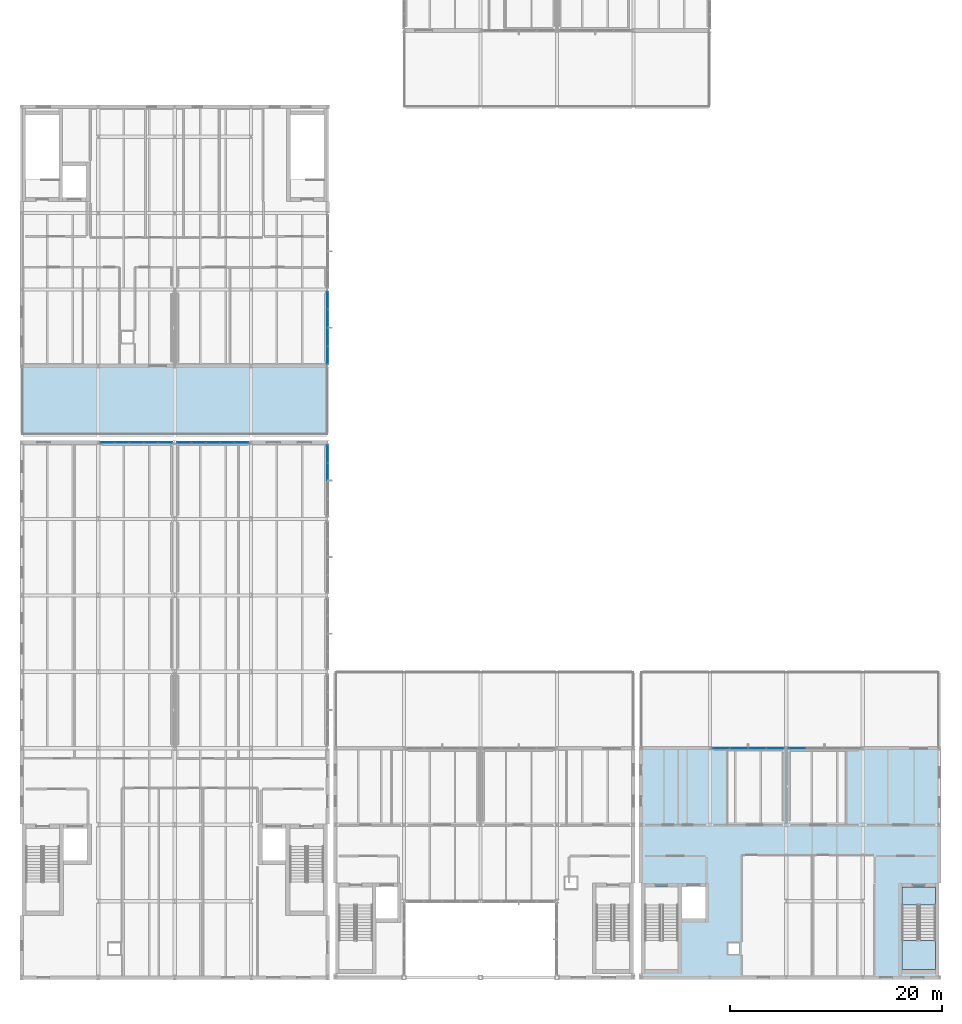
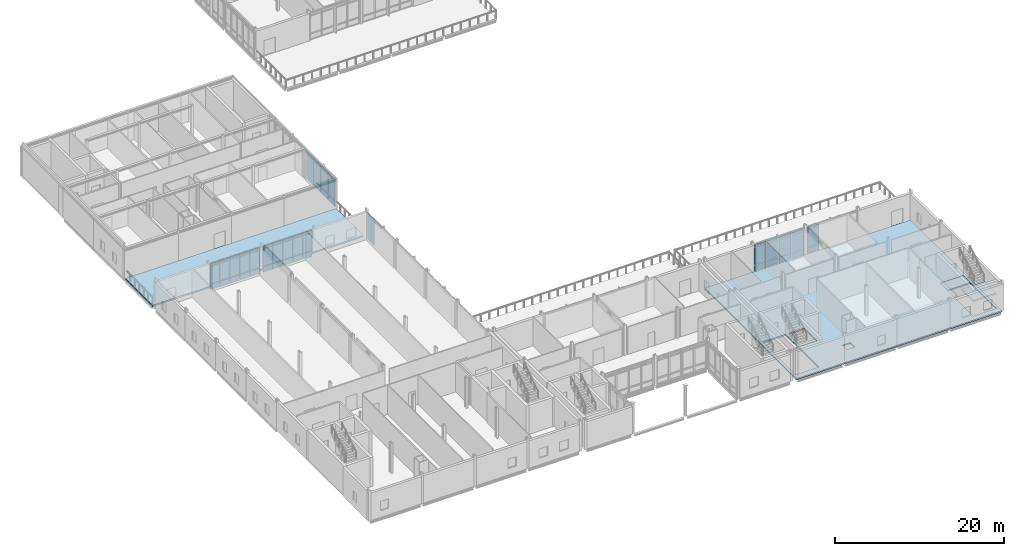
# One storey, part 25 of 53: 61 plates, 4 slabs, 7 elements without a shape of their own.
"""IFC4 building model written with IfcOpenShell, lengths in metres."""

from ifc_helpers import new_model, si_unit, direction, frame, origin, origin_2d, place, context, subcontext, project, spatial, polyline, rectangle, outline, extrude, material, layer, layer_set, type_object, element, aggregate, save


model = new_model("IFC4")

# Units and contexts
model_context = context("Model", 3, precision=1e-05, world=origin(), true_north=direction((0.0, 1.0)))
body_context = subcontext(model_context, "Body", "Model", "MODEL_VIEW")
ifc_project = project(units=[si_unit("LENGTHUNIT", "METRE"), si_unit("AREAUNIT", "SQUARE_METRE"), si_unit("VOLUMEUNIT", "CUBIC_METRE"), si_unit("PLANEANGLEUNIT", "RADIAN"), si_unit("MASSUNIT", "GRAM", prefix="KILO")], contexts=[model_context])

# Site, building, storey
site_placement = place(None, origin())
site = spatial("IfcSite", under=ifc_project, at=site_placement, CompositionType="ELEMENT")
building_placement = place(site_placement, origin())
building = spatial("IfcBuilding", under=site, at=building_placement, Name="Zarrinpeak Specialist Clinic", CompositionType="ELEMENT")
storey_placement = place(building_placement, frame((0.0, 0.0, 14.0)))
storey = spatial("IfcBuildingStorey", under=building, at=storey_placement, Name="L03", CompositionType="ELEMENT", Elevation=14.0)

# Curtain wall, plates
ifc_material_1 = material(Name="Anodised Aluminium Alloy 6063-T6", Category="aluminium")
ifc_layer_1 = layer(ifc_material_1, 0.1650390625)
ifc_layer_set_1 = layer_set([ifc_layer_1], Name="Anodised Aluminium Alloy 6063-T6")
curtain_wall_type_1 = type_object("IfcCurtainWallType", Name="CW-CLINIC", PredefinedType="NOTDEFINED", material=ifc_layer_set_1)
curtain_wall_1_placement = place(storey_placement, origin())
curtain_wall_1 = element("IfcCurtainWall", 1, at=curtain_wall_1_placement, inside=storey, type_object=curtain_wall_type_1, Name="L03 V1 Unitised Curtain Wall CW-L03-V1-019", PredefinedType="NOTDEFINED")
ifc_material_2 = material(Name="Double Low-E Insulated Glazing", Category="glass")
ifc_layer_2 = layer(ifc_material_2, 0.028076171875)
ifc_layer_set_2 = layer_set([ifc_layer_2], Name="Double Low-E Insulated Glazing")
plate_type_1 = type_object("IfcPlateType", Name="CWP-GLZ28", PredefinedType="CURTAIN_PANEL", material=ifc_layer_set_2)
plate_1_placement = place(storey_placement, frame((13.521240234375, 50.39990234375, 0.074951171875), z_axis=(0.0, 0.0, 1.0), x_axis=(-1.0, 0.0, 0.0)))
plate_1 = element("IfcPlate", 2, at=plate_1_placement, type_object=plate_type_1, Name="CW-03 panel 1.1", PredefinedType="CURTAIN_PANEL", context=body_context, shape_type="SweptSolid", body=[
    extrude(rectangle(XDim=1.257568359375, YDim=0.028076171875, at=origin_2d()), origin(), (0.0, 0.0, 1.0), 0.78759765625),
])
plate_2_placement = place(storey_placement, frame((13.521240234375, 50.39990234375, 0.9375), z_axis=(0.0, 0.0, 1.0), x_axis=(-1.0, 0.0, 0.0)))
plate_2 = element("IfcPlate", 3, at=plate_2_placement, type_object=plate_type_1, Name="CW-03 panel 1.2", PredefinedType="CURTAIN_PANEL", context=body_context, shape_type="SweptSolid", body=[
    extrude(rectangle(XDim=1.257568359375, YDim=0.028076171875, at=origin_2d()), origin(), (0.0, 0.0, 1.0), 2.510009765625),
])
plate_3_placement = place(storey_placement, frame((13.521240234375, 50.39990234375, 3.5224609375), z_axis=(0.0, 0.0, 1.0), x_axis=(-1.0, 0.0, 0.0)))
plate_3 = element("IfcPlate", 4, at=plate_3_placement, type_object=plate_type_1, Name="CW-03 panel 1.3", PredefinedType="CURTAIN_PANEL", context=body_context, shape_type="SweptSolid", body=[
    extrude(rectangle(XDim=1.257568359375, YDim=0.028076171875, at=origin_2d()), origin(), (0.0, 0.0, 1.0), 0.33740234375),
])
plate_4_placement = place(storey_placement, frame((12.169921875, 50.39990234375, 0.074951171875), z_axis=(0.0, 0.0, 1.0), x_axis=(-1.0, 0.0, 0.0)))
plate_4 = element("IfcPlate", 5, at=plate_4_placement, type_object=plate_type_1, Name="CW-03 panel 2.1", PredefinedType="CURTAIN_PANEL", context=body_context, shape_type="SweptSolid", body=[
    extrude(rectangle(XDim=1.294921875, YDim=0.028076171875, at=origin_2d()), origin(), (0.0, 0.0, 1.0), 0.78759765625),
])
plate_5_placement = place(storey_placement, frame((12.169921875, 50.39990234375, 0.9375), z_axis=(0.0, 0.0, 1.0), x_axis=(-1.0, 0.0, 0.0)))
plate_5 = element("IfcPlate", 6, at=plate_5_placement, type_object=plate_type_1, Name="CW-03 panel 2.2", PredefinedType="CURTAIN_PANEL", context=body_context, shape_type="SweptSolid", body=[
    extrude(rectangle(XDim=1.294921875, YDim=0.028076171875, at=origin_2d()), origin(), (0.0, 0.0, 1.0), 2.510009765625),
])
plate_6_placement = place(storey_placement, frame((12.169921875, 50.39990234375, 3.5224609375), z_axis=(0.0, 0.0, 1.0), x_axis=(-1.0, 0.0, 0.0)))
plate_6 = element("IfcPlate", 7, at=plate_6_placement, type_object=plate_type_1, Name="CW-03 panel 2.3", PredefinedType="CURTAIN_PANEL", context=body_context, shape_type="SweptSolid", body=[
    extrude(rectangle(XDim=1.294921875, YDim=0.028076171875, at=origin_2d()), origin(), (0.0, 0.0, 1.0), 0.33740234375),
])
plate_7_placement = place(storey_placement, frame((10.800048828125, 50.39990234375, 0.074951171875), z_axis=(0.0, 0.0, 1.0), x_axis=(-1.0, 0.0, 0.0)))
plate_7 = element("IfcPlate", 8, at=plate_7_placement, type_object=plate_type_1, Name="CW-03 panel 3.1", PredefinedType="CURTAIN_PANEL", context=body_context, shape_type="SweptSolid", body=[
    extrude(rectangle(XDim=1.294921875, YDim=0.028076171875, at=origin_2d()), origin(), (0.0, 0.0, 1.0), 0.78759765625),
])
plate_8_placement = place(storey_placement, frame((10.800048828125, 50.39990234375, 0.9375), z_axis=(0.0, 0.0, 1.0), x_axis=(-1.0, 0.0, 0.0)))
plate_8 = element("IfcPlate", 9, at=plate_8_placement, type_object=plate_type_1, Name="CW-03 panel 3.2", PredefinedType="CURTAIN_PANEL", context=body_context, shape_type="SweptSolid", body=[
    extrude(rectangle(XDim=1.294921875, YDim=0.028076171875, at=origin_2d()), origin(), (0.0, 0.0, 1.0), 2.510009765625),
])
plate_9_placement = place(storey_placement, frame((10.800048828125, 50.39990234375, 3.5224609375), z_axis=(0.0, 0.0, 1.0), x_axis=(-1.0, 0.0, 0.0)))
plate_9 = element("IfcPlate", 10, at=plate_9_placement, type_object=plate_type_1, Name="CW-03 panel 3.3", PredefinedType="CURTAIN_PANEL", context=body_context, shape_type="SweptSolid", body=[
    extrude(rectangle(XDim=1.294921875, YDim=0.028076171875, at=origin_2d()), origin(), (0.0, 0.0, 1.0), 0.33740234375),
])
plate_10_placement = place(storey_placement, frame((9.429931640625, 50.39990234375, 0.074951171875), z_axis=(0.0, 0.0, 1.0), x_axis=(-1.0, 0.0, 0.0)))
plate_10 = element("IfcPlate", 11, at=plate_10_placement, type_object=plate_type_1, Name="CW-03 panel 4.1", PredefinedType="CURTAIN_PANEL", context=body_context, shape_type="SweptSolid", body=[
    extrude(rectangle(XDim=1.294921875, YDim=0.028076171875, at=origin_2d()), origin(), (0.0, 0.0, 1.0), 0.78759765625),
])
plate_11_placement = place(storey_placement, frame((9.429931640625, 50.39990234375, 0.9375), z_axis=(0.0, 0.0, 1.0), x_axis=(-1.0, 0.0, 0.0)))
plate_11 = element("IfcPlate", 12, at=plate_11_placement, type_object=plate_type_1, Name="CW-03 panel 4.2", PredefinedType="CURTAIN_PANEL", context=body_context, shape_type="SweptSolid", body=[
    extrude(rectangle(XDim=1.294921875, YDim=0.028076171875, at=origin_2d()), origin(), (0.0, 0.0, 1.0), 2.510009765625),
])
plate_12_placement = place(storey_placement, frame((9.429931640625, 50.39990234375, 3.5224609375), z_axis=(0.0, 0.0, 1.0), x_axis=(-1.0, 0.0, 0.0)))
plate_12 = element("IfcPlate", 13, at=plate_12_placement, type_object=plate_type_1, Name="CW-03 panel 4.3", PredefinedType="CURTAIN_PANEL", context=body_context, shape_type="SweptSolid", body=[
    extrude(rectangle(XDim=1.294921875, YDim=0.028076171875, at=origin_2d()), origin(), (0.0, 0.0, 1.0), 0.33740234375),
])
plate_13_placement = place(storey_placement, frame((8.078857421875, 50.39990234375, 0.074951171875), z_axis=(0.0, 0.0, 1.0), x_axis=(-1.0, 0.0, 0.0)))
plate_13 = element("IfcPlate", 14, at=plate_13_placement, type_object=plate_type_1, Name="CW-03 panel 5.1", PredefinedType="CURTAIN_PANEL", context=body_context, shape_type="SweptSolid", body=[
    extrude(rectangle(XDim=1.257568359375, YDim=0.028076171875, at=origin_2d()), origin(), (0.0, 0.0, 1.0), 0.78759765625),
])
plate_14_placement = place(storey_placement, frame((8.078857421875, 50.39990234375, 0.9375), z_axis=(0.0, 0.0, 1.0), x_axis=(-1.0, 0.0, 0.0)))
plate_14 = element("IfcPlate", 15, at=plate_14_placement, type_object=plate_type_1, Name="CW-03 panel 5.2", PredefinedType="CURTAIN_PANEL", context=body_context, shape_type="SweptSolid", body=[
    extrude(rectangle(XDim=1.257568359375, YDim=0.028076171875, at=origin_2d()), origin(), (0.0, 0.0, 1.0), 2.510009765625),
])
plate_15_placement = place(storey_placement, frame((8.078857421875, 50.39990234375, 3.5224609375), z_axis=(0.0, 0.0, 1.0), x_axis=(-1.0, 0.0, 0.0)))
plate_15 = element("IfcPlate", 16, at=plate_15_placement, type_object=plate_type_1, Name="CW-03 panel 5.3", PredefinedType="CURTAIN_PANEL", context=body_context, shape_type="SweptSolid", body=[
    extrude(rectangle(XDim=1.257568359375, YDim=0.028076171875, at=origin_2d()), origin(), (0.0, 0.0, 1.0), 0.33740234375),
])
aggregate(curtain_wall_1, [plate_1, plate_2, plate_3, plate_4, plate_5, plate_6, plate_7, plate_8, plate_9, plate_10, plate_11, plate_12, plate_13, plate_14, plate_15])

curtain_wall_2_placement = place(storey_placement, origin())
curtain_wall_2 = element("IfcCurtainWall", 17, at=curtain_wall_2_placement, inside=storey, type_object=curtain_wall_type_1, Name="L03 V1 Unitised Curtain Wall CW-L03-V1-020", PredefinedType="NOTDEFINED")
plate_16_placement = place(storey_placement, frame((20.72119140625, 50.39990234375, 0.074951171875), z_axis=(0.0, 0.0, 1.0), x_axis=(-1.0, 0.0, 0.0)))
plate_16 = element("IfcPlate", 18, at=plate_16_placement, type_object=plate_type_1, Name="CW-03 panel 1.1", PredefinedType="CURTAIN_PANEL", context=body_context, shape_type="SweptSolid", body=[
    extrude(rectangle(XDim=1.257568359375, YDim=0.028076171875, at=origin_2d()), origin(), (0.0, 0.0, 1.0), 0.78759765625),
])
plate_17_placement = place(storey_placement, frame((20.72119140625, 50.39990234375, 0.9375), z_axis=(0.0, 0.0, 1.0), x_axis=(-1.0, 0.0, 0.0)))
plate_17 = element("IfcPlate", 19, at=plate_17_placement, type_object=plate_type_1, Name="CW-03 panel 1.2", PredefinedType="CURTAIN_PANEL", context=body_context, shape_type="SweptSolid", body=[
    extrude(rectangle(XDim=1.257568359375, YDim=0.028076171875, at=origin_2d()), origin(), (0.0, 0.0, 1.0), 2.510009765625),
])
plate_18_placement = place(storey_placement, frame((20.72119140625, 50.39990234375, 3.5224609375), z_axis=(0.0, 0.0, 1.0), x_axis=(-1.0, 0.0, 0.0)))
plate_18 = element("IfcPlate", 20, at=plate_18_placement, type_object=plate_type_1, Name="CW-03 panel 1.3", PredefinedType="CURTAIN_PANEL", context=body_context, shape_type="SweptSolid", body=[
    extrude(rectangle(XDim=1.257568359375, YDim=0.028076171875, at=origin_2d()), origin(), (0.0, 0.0, 1.0), 0.33740234375),
])
plate_19_placement = place(storey_placement, frame((19.3701171875, 50.39990234375, 0.074951171875), z_axis=(0.0, 0.0, 1.0), x_axis=(-1.0, 0.0, 0.0)))
plate_19 = element("IfcPlate", 21, at=plate_19_placement, type_object=plate_type_1, Name="CW-03 panel 2.1", PredefinedType="CURTAIN_PANEL", context=body_context, shape_type="SweptSolid", body=[
    extrude(rectangle(XDim=1.294921875, YDim=0.028076171875, at=origin_2d()), origin(), (0.0, 0.0, 1.0), 0.78759765625),
])
plate_20_placement = place(storey_placement, frame((19.3701171875, 50.39990234375, 0.9375), z_axis=(0.0, 0.0, 1.0), x_axis=(-1.0, 0.0, 0.0)))
plate_20 = element("IfcPlate", 22, at=plate_20_placement, type_object=plate_type_1, Name="CW-03 panel 2.2", PredefinedType="CURTAIN_PANEL", context=body_context, shape_type="SweptSolid", body=[
    extrude(rectangle(XDim=1.294921875, YDim=0.028076171875, at=origin_2d()), origin(), (0.0, 0.0, 1.0), 2.510009765625),
])
plate_21_placement = place(storey_placement, frame((19.3701171875, 50.39990234375, 3.5224609375), z_axis=(0.0, 0.0, 1.0), x_axis=(-1.0, 0.0, 0.0)))
plate_21 = element("IfcPlate", 23, at=plate_21_placement, type_object=plate_type_1, Name="CW-03 panel 2.3", PredefinedType="CURTAIN_PANEL", context=body_context, shape_type="SweptSolid", body=[
    extrude(rectangle(XDim=1.294921875, YDim=0.028076171875, at=origin_2d()), origin(), (0.0, 0.0, 1.0), 0.33740234375),
])
plate_22_placement = place(storey_placement, frame((18.0, 50.39990234375, 0.074951171875), z_axis=(0.0, 0.0, 1.0), x_axis=(-1.0, 0.0, 0.0)))
plate_22 = element("IfcPlate", 24, at=plate_22_placement, type_object=plate_type_1, Name="CW-03 panel 3.1", PredefinedType="CURTAIN_PANEL", context=body_context, shape_type="SweptSolid", body=[
    extrude(rectangle(XDim=1.294921875, YDim=0.028076171875, at=origin_2d()), origin(), (0.0, 0.0, 1.0), 0.78759765625),
])
plate_23_placement = place(storey_placement, frame((18.0, 50.39990234375, 0.9375), z_axis=(0.0, 0.0, 1.0), x_axis=(-1.0, 0.0, 0.0)))
plate_23 = element("IfcPlate", 25, at=plate_23_placement, type_object=plate_type_1, Name="CW-03 panel 3.2", PredefinedType="CURTAIN_PANEL", context=body_context, shape_type="SweptSolid", body=[
    extrude(rectangle(XDim=1.294921875, YDim=0.028076171875, at=origin_2d()), origin(), (0.0, 0.0, 1.0), 2.510009765625),
])
plate_24_placement = place(storey_placement, frame((18.0, 50.39990234375, 3.5224609375), z_axis=(0.0, 0.0, 1.0), x_axis=(-1.0, 0.0, 0.0)))
plate_24 = element("IfcPlate", 26, at=plate_24_placement, type_object=plate_type_1, Name="CW-03 panel 3.3", PredefinedType="CURTAIN_PANEL", context=body_context, shape_type="SweptSolid", body=[
    extrude(rectangle(XDim=1.294921875, YDim=0.028076171875, at=origin_2d()), origin(), (0.0, 0.0, 1.0), 0.33740234375),
])
plate_25_placement = place(storey_placement, frame((16.6298828125, 50.39990234375, 0.074951171875), z_axis=(0.0, 0.0, 1.0), x_axis=(-1.0, 0.0, 0.0)))
plate_25 = element("IfcPlate", 27, at=plate_25_placement, type_object=plate_type_1, Name="CW-03 panel 4.1", PredefinedType="CURTAIN_PANEL", context=body_context, shape_type="SweptSolid", body=[
    extrude(rectangle(XDim=1.294921875, YDim=0.028076171875, at=origin_2d()), origin(), (0.0, 0.0, 1.0), 0.78759765625),
])
plate_26_placement = place(storey_placement, frame((16.6298828125, 50.39990234375, 0.9375), z_axis=(0.0, 0.0, 1.0), x_axis=(-1.0, 0.0, 0.0)))
plate_26 = element("IfcPlate", 28, at=plate_26_placement, type_object=plate_type_1, Name="CW-03 panel 4.2", PredefinedType="CURTAIN_PANEL", context=body_context, shape_type="SweptSolid", body=[
    extrude(rectangle(XDim=1.294921875, YDim=0.028076171875, at=origin_2d()), origin(), (0.0, 0.0, 1.0), 2.510009765625),
])
plate_27_placement = place(storey_placement, frame((16.6298828125, 50.39990234375, 3.5224609375), z_axis=(0.0, 0.0, 1.0), x_axis=(-1.0, 0.0, 0.0)))
plate_27 = element("IfcPlate", 29, at=plate_27_placement, type_object=plate_type_1, Name="CW-03 panel 4.3", PredefinedType="CURTAIN_PANEL", context=body_context, shape_type="SweptSolid", body=[
    extrude(rectangle(XDim=1.294921875, YDim=0.028076171875, at=origin_2d()), origin(), (0.0, 0.0, 1.0), 0.33740234375),
])
plate_28_placement = place(storey_placement, frame((15.27880859375, 50.39990234375, 0.074951171875), z_axis=(0.0, 0.0, 1.0), x_axis=(-1.0, 0.0, 0.0)))
plate_28 = element("IfcPlate", 30, at=plate_28_placement, type_object=plate_type_1, Name="CW-03 panel 5.1", PredefinedType="CURTAIN_PANEL", context=body_context, shape_type="SweptSolid", body=[
    extrude(rectangle(XDim=1.257568359375, YDim=0.028076171875, at=origin_2d()), origin(), (0.0, 0.0, 1.0), 0.78759765625),
])
plate_29_placement = place(storey_placement, frame((15.27880859375, 50.39990234375, 0.9375), z_axis=(0.0, 0.0, 1.0), x_axis=(-1.0, 0.0, 0.0)))
plate_29 = element("IfcPlate", 31, at=plate_29_placement, type_object=plate_type_1, Name="CW-03 panel 5.2", PredefinedType="CURTAIN_PANEL", context=body_context, shape_type="SweptSolid", body=[
    extrude(rectangle(XDim=1.257568359375, YDim=0.028076171875, at=origin_2d()), origin(), (0.0, 0.0, 1.0), 2.510009765625),
])
plate_30_placement = place(storey_placement, frame((15.27880859375, 50.39990234375, 3.5224609375), z_axis=(0.0, 0.0, 1.0), x_axis=(-1.0, 0.0, 0.0)))
plate_30 = element("IfcPlate", 32, at=plate_30_placement, type_object=plate_type_1, Name="CW-03 panel 5.3", PredefinedType="CURTAIN_PANEL", context=body_context, shape_type="SweptSolid", body=[
    extrude(rectangle(XDim=1.257568359375, YDim=0.028076171875, at=origin_2d()), origin(), (0.0, 0.0, 1.0), 0.33740234375),
])
aggregate(curtain_wall_2, [plate_16, plate_17, plate_18, plate_19, plate_20, plate_21, plate_22, plate_23, plate_24, plate_25, plate_26, plate_27, plate_28, plate_29, plate_30])

ifc_layer_3 = layer(ifc_material_1, 0.179931640625)
ifc_layer_set_3 = layer_set([ifc_layer_3], Name="Anodised Aluminium Alloy 6063-T6")
curtain_wall_type_2 = type_object("IfcCurtainWallType", Name="CW-COURT", PredefinedType="NOTDEFINED", material=ifc_layer_set_3)
curtain_wall_3_placement = place(storey_placement, origin())
curtain_wall_3 = element("IfcCurtainWall", 33, at=curtain_wall_3_placement, inside=storey, type_object=curtain_wall_type_2, Name="L03 V1 Unitised Curtain Wall CW-L03-V1-024", PredefinedType="NOTDEFINED")
plate_31_placement = place(storey_placement, frame((28.800048828125, 47.6611328125, 3.47265625), z_axis=(0.0, 0.0, 1.0), x_axis=(0.0, 1.0, 0.0)))
plate_31 = element("IfcPlate", 34, at=plate_31_placement, type_object=plate_type_1, Name="CW-01 panel 3.3", PredefinedType="CURTAIN_PANEL", context=body_context, shape_type="SweptSolid", body=[
    extrude(rectangle(XDim=1.62744140625, YDim=0.028076171875, at=origin_2d()), origin(), (0.0, 0.0, 1.0), 0.33740234375),
])
plate_32_placement = place(storey_placement, frame((28.800048828125, 49.344970703125, 0.074951171875), z_axis=(0.0, 0.0, 1.0), x_axis=(0.0, 1.0, 0.0)))
plate_32 = element("IfcPlate", 35, at=plate_32_placement, type_object=plate_type_1, Name="CW-01 panel 4.1", PredefinedType="CURTAIN_PANEL", context=body_context, shape_type="SweptSolid", body=[
    extrude(rectangle(XDim=1.590087890625, YDim=0.028076171875, at=origin_2d()), origin(), (0.0, 0.0, 1.0), 0.78759765625),
])
plate_33_placement = place(storey_placement, frame((28.800048828125, 49.344970703125, 0.9375), z_axis=(0.0, 0.0, 1.0), x_axis=(0.0, 1.0, 0.0)))
plate_33 = element("IfcPlate", 36, at=plate_33_placement, type_object=plate_type_1, Name="CW-01 panel 4.2", PredefinedType="CURTAIN_PANEL", context=body_context, shape_type="SweptSolid", body=[
    extrude(rectangle(XDim=1.590087890625, YDim=0.028076171875, at=origin_2d()), origin(), (0.0, 0.0, 1.0), 2.4599609375),
])
plate_34_placement = place(storey_placement, frame((28.800048828125, 49.344970703125, 3.47265625), z_axis=(0.0, 0.0, 1.0), x_axis=(0.0, 1.0, 0.0)))
plate_34 = element("IfcPlate", 37, at=plate_34_placement, type_object=plate_type_1, Name="CW-01 panel 4.3", PredefinedType="CURTAIN_PANEL", context=body_context, shape_type="SweptSolid", body=[
    extrude(rectangle(XDim=1.590087890625, YDim=0.028076171875, at=origin_2d()), origin(), (0.0, 0.0, 1.0), 0.33740234375),
])
aggregate(curtain_wall_3, [plate_31, plate_32, plate_33, plate_34])

curtain_wall_4_placement = place(storey_placement, origin())
curtain_wall_4 = element("IfcCurtainWall", 38, at=curtain_wall_4_placement, inside=storey, type_object=curtain_wall_type_2, Name="L03 V4 Unitised Curtain Wall CW-L03-V4-075", PredefinedType="NOTDEFINED")
ifc_material_3 = material(Name="Triple Acoustic Low-E Glazing", Category="glass")
ifc_layer_4 = layer(ifc_material_3, 0.035888671875)
ifc_layer_set_4 = layer_set([ifc_layer_4], Name="Triple Acoustic Low-E Glazing")
plate_type_2 = type_object("IfcPlateType", Name="CWP-GLZ36", PredefinedType="CURTAIN_PANEL", material=ifc_layer_set_4)
plate_35_placement = place(storey_placement, frame((70.949951171875, 21.60009765625, 0.074951171875), z_axis=(0.0, 0.0, 1.0), x_axis=(-1.0, 0.0, 0.0)))
plate_35 = element("IfcPlate", 39, at=plate_35_placement, type_object=plate_type_2, Name="CW-01 panel 1.1", PredefinedType="CURTAIN_PANEL", context=body_context, shape_type="SweptSolid", body=[
    extrude(rectangle(XDim=1.60009765625, YDim=0.035888671875, at=origin_2d()), origin(), (0.0, 0.0, 1.0), 0.78759765625),
])
plate_36_placement = place(storey_placement, frame((70.949951171875, 21.60009765625, 0.9375), z_axis=(0.0, 0.0, 1.0), x_axis=(-1.0, 0.0, 0.0)))
plate_36 = element("IfcPlate", 40, at=plate_36_placement, type_object=plate_type_2, Name="CW-01 panel 1.2", PredefinedType="CURTAIN_PANEL", context=body_context, shape_type="SweptSolid", body=[
    extrude(rectangle(XDim=1.60009765625, YDim=0.035888671875, at=origin_2d()), origin(), (0.0, 0.0, 1.0), 2.510009765625),
])
plate_37_placement = place(storey_placement, frame((70.949951171875, 21.60009765625, 3.5224609375), z_axis=(0.0, 0.0, 1.0), x_axis=(-1.0, 0.0, 0.0)))
plate_37 = element("IfcPlate", 41, at=plate_37_placement, type_object=plate_type_2, Name="CW-01 panel 1.3", PredefinedType="CURTAIN_PANEL", context=body_context, shape_type="SweptSolid", body=[
    extrude(rectangle(XDim=1.60009765625, YDim=0.035888671875, at=origin_2d()), origin(), (0.0, 0.0, 1.0), 0.33740234375),
])
plate_38_placement = place(storey_placement, frame((69.25634765625, 21.60009765625, 0.074951171875), z_axis=(0.0, 0.0, 1.0), x_axis=(-1.0, 0.0, 0.0)))
plate_38 = element("IfcPlate", 42, at=plate_38_placement, type_object=plate_type_2, Name="CW-01 panel 2.1", PredefinedType="CURTAIN_PANEL", context=body_context, shape_type="SweptSolid", body=[
    extrude(rectangle(XDim=1.637451171875, YDim=0.035888671875, at=origin_2d()), origin(), (0.0, 0.0, 1.0), 0.78759765625),
])
plate_39_placement = place(storey_placement, frame((69.25634765625, 21.60009765625, 0.9375), z_axis=(0.0, 0.0, 1.0), x_axis=(-1.0, 0.0, 0.0)))
plate_39 = element("IfcPlate", 43, at=plate_39_placement, type_object=plate_type_2, Name="CW-01 panel 2.2", PredefinedType="CURTAIN_PANEL", context=body_context, shape_type="SweptSolid", body=[
    extrude(rectangle(XDim=1.637451171875, YDim=0.035888671875, at=origin_2d()), origin(), (0.0, 0.0, 1.0), 2.510009765625),
])
plate_40_placement = place(storey_placement, frame((69.25634765625, 21.60009765625, 3.5224609375), z_axis=(0.0, 0.0, 1.0), x_axis=(-1.0, 0.0, 0.0)))
plate_40 = element("IfcPlate", 44, at=plate_40_placement, type_object=plate_type_2, Name="CW-01 panel 2.3", PredefinedType="CURTAIN_PANEL", context=body_context, shape_type="SweptSolid", body=[
    extrude(rectangle(XDim=1.637451171875, YDim=0.035888671875, at=origin_2d()), origin(), (0.0, 0.0, 1.0), 0.33740234375),
])
plate_41_placement = place(storey_placement, frame((67.543701171875, 21.60009765625, 0.074951171875), z_axis=(0.0, 0.0, 1.0), x_axis=(-1.0, 0.0, 0.0)))
plate_41 = element("IfcPlate", 45, at=plate_41_placement, type_object=plate_type_2, Name="CW-01 panel 3.1", PredefinedType="CURTAIN_PANEL", context=body_context, shape_type="SweptSolid", body=[
    extrude(rectangle(XDim=1.637451171875, YDim=0.035888671875, at=origin_2d()), origin(), (0.0, 0.0, 1.0), 0.78759765625),
])
plate_42_placement = place(storey_placement, frame((67.543701171875, 21.60009765625, 0.9375), z_axis=(0.0, 0.0, 1.0), x_axis=(-1.0, 0.0, 0.0)))
plate_42 = element("IfcPlate", 46, at=plate_42_placement, type_object=plate_type_2, Name="CW-01 panel 3.2", PredefinedType="CURTAIN_PANEL", context=body_context, shape_type="SweptSolid", body=[
    extrude(rectangle(XDim=1.637451171875, YDim=0.035888671875, at=origin_2d()), origin(), (0.0, 0.0, 1.0), 2.510009765625),
])
plate_43_placement = place(storey_placement, frame((67.543701171875, 21.60009765625, 3.5224609375), z_axis=(0.0, 0.0, 1.0), x_axis=(-1.0, 0.0, 0.0)))
plate_43 = element("IfcPlate", 47, at=plate_43_placement, type_object=plate_type_2, Name="CW-01 panel 3.3", PredefinedType="CURTAIN_PANEL", context=body_context, shape_type="SweptSolid", body=[
    extrude(rectangle(XDim=1.637451171875, YDim=0.035888671875, at=origin_2d()), origin(), (0.0, 0.0, 1.0), 0.33740234375),
])
plate_44_placement = place(storey_placement, frame((65.85009765625, 21.60009765625, 0.074951171875), z_axis=(0.0, 0.0, 1.0), x_axis=(-1.0, 0.0, 0.0)))
plate_44 = element("IfcPlate", 48, at=plate_44_placement, type_object=plate_type_2, Name="CW-01 panel 4.1", PredefinedType="CURTAIN_PANEL", context=body_context, shape_type="SweptSolid", body=[
    extrude(rectangle(XDim=1.60009765625, YDim=0.035888671875, at=origin_2d()), origin(), (0.0, 0.0, 1.0), 0.78759765625),
])
plate_45_placement = place(storey_placement, frame((65.85009765625, 21.60009765625, 0.9375), z_axis=(0.0, 0.0, 1.0), x_axis=(-1.0, 0.0, 0.0)))
plate_45 = element("IfcPlate", 49, at=plate_45_placement, type_object=plate_type_2, Name="CW-01 panel 4.2", PredefinedType="CURTAIN_PANEL", context=body_context, shape_type="SweptSolid", body=[
    extrude(rectangle(XDim=1.60009765625, YDim=0.035888671875, at=origin_2d()), origin(), (0.0, 0.0, 1.0), 2.510009765625),
])
plate_46_placement = place(storey_placement, frame((65.85009765625, 21.60009765625, 3.5224609375), z_axis=(0.0, 0.0, 1.0), x_axis=(-1.0, 0.0, 0.0)))
plate_46 = element("IfcPlate", 50, at=plate_46_placement, type_object=plate_type_2, Name="CW-01 panel 4.3", PredefinedType="CURTAIN_PANEL", context=body_context, shape_type="SweptSolid", body=[
    extrude(rectangle(XDim=1.60009765625, YDim=0.035888671875, at=origin_2d()), origin(), (0.0, 0.0, 1.0), 0.33740234375),
])
aggregate(curtain_wall_4, [plate_35, plate_36, plate_37, plate_38, plate_39, plate_40, plate_41, plate_42, plate_43, plate_44, plate_45, plate_46])

curtain_wall_5_placement = place(storey_placement, origin())
curtain_wall_5 = element("IfcCurtainWall", 51, at=curtain_wall_5_placement, inside=storey, type_object=curtain_wall_type_2, Name="L03 V4 Unitised Curtain Wall CW-L03-V4-076", PredefinedType="NOTDEFINED")
plate_47_placement = place(storey_placement, frame((73.050048828125, 21.60009765625, 0.074951171875), z_axis=(0.0, 0.0, 1.0), x_axis=(-1.0, 0.0, 0.0)))
plate_47 = element("IfcPlate", 52, at=plate_47_placement, type_object=plate_type_2, Name="CW-01 panel 4.1", PredefinedType="CURTAIN_PANEL", context=body_context, shape_type="SweptSolid", body=[
    extrude(rectangle(XDim=1.60009765625, YDim=0.035888671875, at=origin_2d()), origin(), (0.0, 0.0, 1.0), 0.78759765625),
])
plate_48_placement = place(storey_placement, frame((73.050048828125, 21.60009765625, 0.9375), z_axis=(0.0, 0.0, 1.0), x_axis=(-1.0, 0.0, 0.0)))
plate_48 = element("IfcPlate", 53, at=plate_48_placement, type_object=plate_type_2, Name="CW-01 panel 4.2", PredefinedType="CURTAIN_PANEL", context=body_context, shape_type="SweptSolid", body=[
    extrude(rectangle(XDim=1.60009765625, YDim=0.035888671875, at=origin_2d()), origin(), (0.0, 0.0, 1.0), 2.510009765625),
])
plate_49_placement = place(storey_placement, frame((73.050048828125, 21.60009765625, 3.5224609375), z_axis=(0.0, 0.0, 1.0), x_axis=(-1.0, 0.0, 0.0)))
plate_49 = element("IfcPlate", 54, at=plate_49_placement, type_object=plate_type_2, Name="CW-01 panel 4.3", PredefinedType="CURTAIN_PANEL", context=body_context, shape_type="SweptSolid", body=[
    extrude(rectangle(XDim=1.60009765625, YDim=0.035888671875, at=origin_2d()), origin(), (0.0, 0.0, 1.0), 0.33740234375),
])
aggregate(curtain_wall_5, [plate_47, plate_48, plate_49])

curtain_wall_6_placement = place(storey_placement, origin())
curtain_wall_6 = element("IfcCurtainWall", 55, at=curtain_wall_6_placement, inside=storey, type_object=curtain_wall_type_2, Name="L03 V5 Unitised Curtain Wall CW-L03-V5-127", PredefinedType="NOTDEFINED")
plate_50_placement = place(storey_placement, frame((28.800048828125, 58.62744140625, 0.074951171875), z_axis=(0.0, 0.0, 1.0), x_axis=(0.0, 1.0, 0.0)))
plate_50 = element("IfcPlate", 56, at=plate_50_placement, type_object=plate_type_2, Name="CW-01 panel 1.1", PredefinedType="CURTAIN_PANEL", context=body_context, shape_type="SweptSolid", body=[
    extrude(rectangle(XDim=1.614990234375, YDim=0.035888671875, at=origin_2d()), origin(), (0.0, 0.0, 1.0), 0.78759765625),
])
plate_51_placement = place(storey_placement, frame((28.800048828125, 58.62744140625, 0.9375), z_axis=(0.0, 0.0, 1.0), x_axis=(0.0, 1.0, 0.0)))
plate_51 = element("IfcPlate", 57, at=plate_51_placement, type_object=plate_type_2, Name="CW-01 panel 1.2", PredefinedType="CURTAIN_PANEL", context=body_context, shape_type="SweptSolid", body=[
    extrude(rectangle(XDim=1.614990234375, YDim=0.035888671875, at=origin_2d()), origin(), (0.0, 0.0, 1.0), 2.68505859375),
])
plate_52_placement = place(storey_placement, frame((28.800048828125, 58.62744140625, 3.697509765625), z_axis=(0.0, 0.0, 1.0), x_axis=(0.0, 1.0, 0.0)))
plate_52 = element("IfcPlate", 58, at=plate_52_placement, type_object=plate_type_2, Name="CW-01 panel 1.3", PredefinedType="CURTAIN_PANEL", context=body_context, shape_type="SweptSolid", body=[
    extrude(rectangle(XDim=1.614990234375, YDim=0.035888671875, at=origin_2d()), origin(), (0.0, 0.0, 1.0), 0.33740234375),
])
plate_53_placement = place(storey_placement, frame((28.800048828125, 60.336181640625, 0.074951171875), z_axis=(0.0, 0.0, 1.0), x_axis=(0.0, 1.0, 0.0)))
plate_53 = element("IfcPlate", 59, at=plate_53_placement, type_object=plate_type_2, Name="CW-01 panel 2.1", PredefinedType="CURTAIN_PANEL", context=body_context, shape_type="SweptSolid", body=[
    extrude(rectangle(XDim=1.652587890625, YDim=0.035888671875, at=origin_2d()), origin(), (0.0, 0.0, 1.0), 0.78759765625),
])
plate_54_placement = place(storey_placement, frame((28.800048828125, 60.336181640625, 0.9375), z_axis=(0.0, 0.0, 1.0), x_axis=(0.0, 1.0, 0.0)))
plate_54 = element("IfcPlate", 60, at=plate_54_placement, type_object=plate_type_2, Name="CW-01 panel 2.2", PredefinedType="CURTAIN_PANEL", context=body_context, shape_type="SweptSolid", body=[
    extrude(rectangle(XDim=1.652587890625, YDim=0.035888671875, at=origin_2d()), origin(), (0.0, 0.0, 1.0), 2.68505859375),
])
plate_55_placement = place(storey_placement, frame((28.800048828125, 60.336181640625, 3.697509765625), z_axis=(0.0, 0.0, 1.0), x_axis=(0.0, 1.0, 0.0)))
plate_55 = element("IfcPlate", 61, at=plate_55_placement, type_object=plate_type_2, Name="CW-01 panel 2.3", PredefinedType="CURTAIN_PANEL", context=body_context, shape_type="SweptSolid", body=[
    extrude(rectangle(XDim=1.652587890625, YDim=0.035888671875, at=origin_2d()), origin(), (0.0, 0.0, 1.0), 0.33740234375),
])
plate_56_placement = place(storey_placement, frame((28.800048828125, 62.063720703125, 0.074951171875), z_axis=(0.0, 0.0, 1.0), x_axis=(0.0, 1.0, 0.0)))
plate_56 = element("IfcPlate", 62, at=plate_56_placement, type_object=plate_type_2, Name="CW-01 panel 3.1", PredefinedType="CURTAIN_PANEL", context=body_context, shape_type="SweptSolid", body=[
    extrude(rectangle(XDim=1.652587890625, YDim=0.035888671875, at=origin_2d()), origin(), (0.0, 0.0, 1.0), 0.78759765625),
])
plate_57_placement = place(storey_placement, frame((28.800048828125, 62.063720703125, 0.9375), z_axis=(0.0, 0.0, 1.0), x_axis=(0.0, 1.0, 0.0)))
plate_57 = element("IfcPlate", 63, at=plate_57_placement, type_object=plate_type_2, Name="CW-01 panel 3.2", PredefinedType="CURTAIN_PANEL", context=body_context, shape_type="SweptSolid", body=[
    extrude(rectangle(XDim=1.652587890625, YDim=0.035888671875, at=origin_2d()), origin(), (0.0, 0.0, 1.0), 2.68505859375),
])
plate_58_placement = place(storey_placement, frame((28.800048828125, 62.063720703125, 3.697509765625), z_axis=(0.0, 0.0, 1.0), x_axis=(0.0, 1.0, 0.0)))
plate_58 = element("IfcPlate", 64, at=plate_58_placement, type_object=plate_type_2, Name="CW-01 panel 3.3", PredefinedType="CURTAIN_PANEL", context=body_context, shape_type="SweptSolid", body=[
    extrude(rectangle(XDim=1.652587890625, YDim=0.035888671875, at=origin_2d()), origin(), (0.0, 0.0, 1.0), 0.33740234375),
])
plate_59_placement = place(storey_placement, frame((28.800048828125, 63.7724609375, 0.074951171875), z_axis=(0.0, 0.0, 1.0), x_axis=(0.0, 1.0, 0.0)))
plate_59 = element("IfcPlate", 65, at=plate_59_placement, type_object=plate_type_2, Name="CW-01 panel 4.1", PredefinedType="CURTAIN_PANEL", context=body_context, shape_type="SweptSolid", body=[
    extrude(rectangle(XDim=1.614990234375, YDim=0.035888671875, at=origin_2d()), origin(), (0.0, 0.0, 1.0), 0.78759765625),
])
plate_60_placement = place(storey_placement, frame((28.800048828125, 63.7724609375, 0.9375), z_axis=(0.0, 0.0, 1.0), x_axis=(0.0, 1.0, 0.0)))
plate_60 = element("IfcPlate", 66, at=plate_60_placement, type_object=plate_type_2, Name="CW-01 panel 4.2", PredefinedType="CURTAIN_PANEL", context=body_context, shape_type="SweptSolid", body=[
    extrude(rectangle(XDim=1.614990234375, YDim=0.035888671875, at=origin_2d()), origin(), (0.0, 0.0, 1.0), 2.68505859375),
])
plate_61_placement = place(storey_placement, frame((28.800048828125, 63.7724609375, 3.697509765625), z_axis=(0.0, 0.0, 1.0), x_axis=(0.0, 1.0, 0.0)))
plate_61 = element("IfcPlate", 67, at=plate_61_placement, type_object=plate_type_2, Name="CW-01 panel 4.3", PredefinedType="CURTAIN_PANEL", context=body_context, shape_type="SweptSolid", body=[
    extrude(rectangle(XDim=1.614990234375, YDim=0.035888671875, at=origin_2d()), origin(), (0.0, 0.0, 1.0), 0.33740234375),
])
aggregate(curtain_wall_6, [plate_50, plate_51, plate_52, plate_53, plate_54, plate_55, plate_56, plate_57, plate_58, plate_59, plate_60, plate_61])

# Slabs
ifc_material_4 = material(Name="Concrete C35/45", Category="concrete")
ifc_layer_5 = layer(ifc_material_4, 0.199951171875)
ifc_layer_set_5 = layer_set([ifc_layer_5], Name="Concrete C35/45")
slab_type_1 = type_object("IfcSlabType", Name="SL-FLR200", PredefinedType="FLOOR", material=ifc_layer_set_5)
slab_1_placement = place(storey_placement, frame((0.0, 0.0, -0.199951171875)))
element("IfcSlab", 68, at=slab_1_placement, inside=storey, type_object=slab_type_1, Name="L03 Suspended Clinical Floor Slab V4", PredefinedType="FLOOR", context=body_context, shape_type="SweptSolid", body=[
    extrude(outline(polyline([(58.320068359375, 0.0), (86.39990234375, 0.0), (86.39990234375, 21.60009765625), (58.320068359375, 21.60009765625), (58.320068359375, 0.0)]), holes=[polyline([(58.669921875, 0.75), (61.820068359375, 0.75), (61.820068359375, 8.550048828125), (58.669921875, 8.550048828125), (58.669921875, 0.75)]), polyline([(62.169921875, 5.550048828125), (64.3701171875, 5.550048828125), (64.3701171875, 8.550048828125), (62.169921875, 8.550048828125), (62.169921875, 5.550048828125)]), polyline([(82.89990234375, 0.75), (86.050048828125, 0.75), (86.050048828125, 8.550048828125), (82.89990234375, 8.550048828125), (82.89990234375, 0.75)]), polyline([(66.52001953125, 2.199951171875), (67.570068359375, 2.199951171875), (67.570068359375, 3.25), (66.52001953125, 3.25), (66.52001953125, 2.199951171875)])]), origin(), (0.0, 0.0, 1.0), 0.199951171875),
])
slab_2_placement = place(storey_placement, frame((0.0, 0.0, -0.199951171875)))
element("IfcSlab", 69, at=slab_2_placement, inside=storey, type_object=slab_type_1, Name="L03 Core C08 Stairwell Floor Landing Slab", PredefinedType="FLOOR", context=body_context, shape_type="SweptSolid", body=[
    extrude(outline(polyline([(82.89990234375, 6.85009765625), (86.050048828125, 6.85009765625), (86.050048828125, 8.550048828125), (82.89990234375, 8.550048828125), (82.89990234375, 6.85009765625)])), origin(), (0.0, 0.0, 1.0), 0.199951171875),
])

# Stair, slab
stair_type = type_object("IfcStairType", Name="ST-DOG", PredefinedType="HALF_TURN_STAIR", material=ifc_material_4)
stair_placement = place(storey_placement, origin())
stair = element("IfcStair", 70, at=stair_placement, inside=storey, type_object=stair_type, Name="L03 Protected Exit Stair ST-08", PredefinedType="HALF_TURN_STAIR")
ifc_layer_6 = layer(ifc_material_4, 0.199951171875)
ifc_layer_set_6 = layer_set([ifc_layer_6], Name="Concrete C35/45")
slab_type_2 = type_object("IfcSlabType", Name="SL-LAND200", PredefinedType="LANDING", material=ifc_layer_set_6)
slab_3_placement = place(storey_placement, frame((0.0, 0.0, 2.0)))
slab_3 = element("IfcSlab", 71, at=slab_3_placement, type_object=slab_type_2, Name="ST-08 landing 1", PredefinedType="LANDING", context=body_context, shape_type="SweptSolid", body=[
    extrude(outline(polyline([(82.89990234375, 3.489990234375), (82.89990234375, 0.75), (86.050048828125, 0.75), (86.050048828125, 3.489990234375), (82.89990234375, 3.489990234375)])), origin(), (0.0, 0.0, 1.0), 0.199951171875),
])
aggregate(stair, [slab_3])

# Slab
ifc_layer_7 = layer(ifc_material_4, 0.219970703125)
ifc_layer_set_7 = layer_set([ifc_layer_7], Name="Concrete C35/45")
slab_type_3 = type_object("IfcSlabType", Name="SL-TER220", PredefinedType="FLOOR", material=ifc_layer_set_7)
slab_4_placement = place(storey_placement, frame((0.0, 0.0, -0.219970703125)))
element("IfcSlab", 72, at=slab_4_placement, inside=storey, type_object=slab_type_3, Name="L03 Healing Roof Terrace Slab V5", PredefinedType="FLOOR", context=body_context, shape_type="SweptSolid", body=[
    extrude(outline(polyline([(0.0, 51.1201171875), (28.800048828125, 51.1201171875), (28.800048828125, 57.60009765625), (0.0, 57.60009765625), (0.0, 51.1201171875)])), origin(), (0.0, 0.0, 1.0), 0.219970703125),
])

save(model, "model.ifc")
